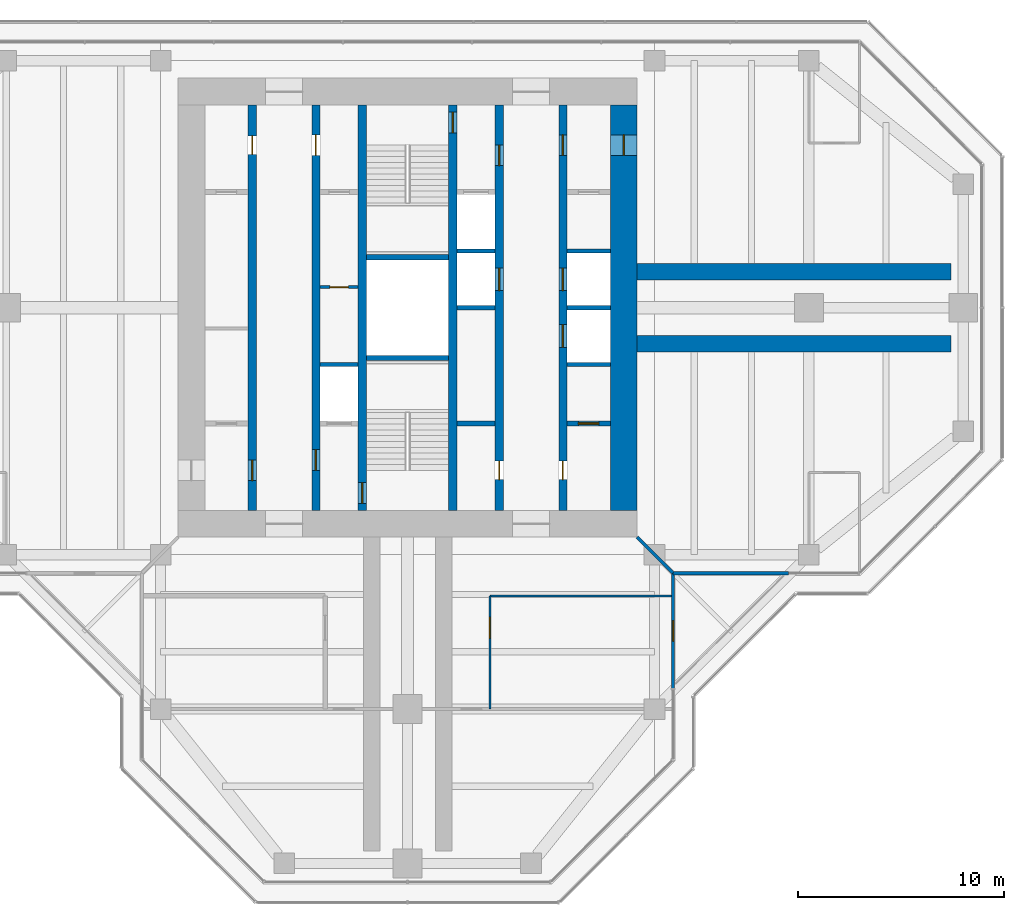
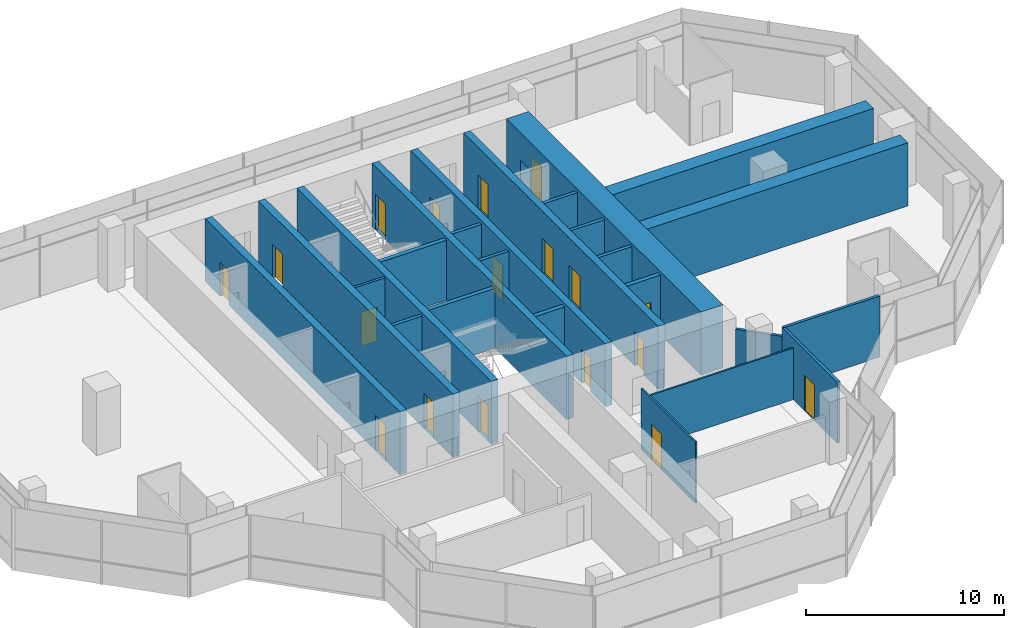
# One storey, part 12 of 15: 25 walls, 18 doors, 18 openings.
"""IFC4 building model written with IfcOpenShell, lengths in metres."""

from ifc_helpers import new_model, si_unit, direction, frame, frame_2d, origin, place, context, subcontext, project, spatial, rectangle, extrude, material, layer, layer_set, type_object, element, fill, save


model = new_model("IFC4")

# Units and contexts
model_context = context("Model", 3, precision=1e-05, world=origin(), true_north=direction((0.0, 1.0)))
body_context = subcontext(model_context, "Body", "Model", "MODEL_VIEW")
ifc_project = project(units=[si_unit("LENGTHUNIT", "METRE"), si_unit("AREAUNIT", "SQUARE_METRE"), si_unit("VOLUMEUNIT", "CUBIC_METRE"), si_unit("PLANEANGLEUNIT", "RADIAN"), si_unit("MASSUNIT", "GRAM", prefix="KILO")], contexts=[model_context])

# Site, building, storey
site_placement = place(None, origin())
site = spatial("IfcSite", under=ifc_project, at=site_placement, CompositionType="ELEMENT")
building_placement = place(site_placement, origin())
building = spatial("IfcBuilding", under=site, at=building_placement, Name="Mizan Broadcast Tower", CompositionType="ELEMENT")
storey_placement = place(building_placement, frame((0.0, 0.0, 282.89990234375)))
storey = spatial("IfcBuildingStorey", under=building, at=storey_placement, Name="L67", CompositionType="ELEMENT", Elevation=282.89990234375)

# Wall, openings, doors
ifc_material_1 = material(Name="Concrete C70/85", Category="concrete")
ifc_layer_1 = layer(ifc_material_1, 0.39990234375)
ifc_layer_set_1 = layer_set([ifc_layer_1], Name="Concrete C70/85")
wall_type_1 = type_object("IfcWallType", Name="CORE INTERNAL WALL 400", PredefinedType="SHEAR", material=ifc_layer_set_1)
wall_1_placement = place(storey_placement, frame((-7.550048828125, -9.85009765625, 0.0), z_axis=(0.0, 0.0, 1.0), x_axis=(0.0, 1.0, 0.0)))
wall_1 = element("IfcWall", 1, at=wall_1_placement, inside=storey, type_object=wall_type_1, Name="Core wall CORE/XW1", PredefinedType="SHEAR", context=body_context, shape_type="SweptSolid", body=[
    extrude(rectangle(XDim=19.7001953125, YDim=0.39990234375, at=frame_2d((9.85009765625, 0.0))), origin(), (0.0, 0.0, 1.0), 3.900146484375),
])
opening_1_placement = place(wall_1_placement, frame((1.449951171875, 0.0, 0.0)))
opening_1 = element("IfcOpeningElement", 2, at=opening_1_placement, cuts=wall_1, Name="Opening D10F", PredefinedType="OPENING", context=body_context, shape_type="SweptSolid", body=[
    extrude(rectangle(XDim=1.0, YDim=2.199951171875, at=frame_2d((0.5, 1.10009765625))), frame((0.0, 0.2099609375, 0.0), z_axis=(0.0, -1.0, 0.0), x_axis=(1.0, 0.0, 0.0)), (0.0, 0.0, 1.0), 0.419921875),
])
opening_2_placement = place(wall_1_placement, frame((17.300048828125, 0.0, 0.0)))
opening_2 = element("IfcOpeningElement", 3, at=opening_2_placement, cuts=wall_1, Name="Opening D09", PredefinedType="OPENING", context=body_context, shape_type="SweptSolid", body=[
    extrude(rectangle(XDim=0.89990234375, YDim=2.10009765625, at=frame_2d((0.449951171875, 1.050048828125))), frame((0.0, 0.2099609375, 0.0), z_axis=(0.0, -1.0, 0.0), x_axis=(1.0, 0.0, 0.0)), (0.0, 0.0, 1.0), 0.419921875),
])
ifc_material_2 = material(Name="Steel door leaf in steel frame", Category="steel")
door_type_1 = type_object("IfcDoorType", Name="FIRE DOOR 1000 FD90", OperationType="SINGLE_SWING_LEFT", PredefinedType="DOOR", material=ifc_material_2)
door_1_placement = place(opening_1_placement, origin())
door_1 = element("IfcDoor", 4, at=door_1_placement, inside=storey, type_object=door_type_1, Name="West core passage door", OperationType="SINGLE_SWING_LEFT", OverallHeight=2.199951171875, OverallWidth=1.0, PredefinedType="DOOR", context=body_context, shape_type="SweptSolid", body=[
    extrude(rectangle(XDim=1.0, YDim=2.199951171875, at=frame_2d((0.5, 1.10009765625))), frame((0.0, 0.02490234375, 0.0), z_axis=(0.0, -1.0, 0.0), x_axis=(1.0, 0.0, 0.0)), (0.0, 0.0, 1.0), 0.050048828125),
])
fill(opening_1, door_1)
ifc_material_3 = material(Name="Timber door leaf in aluminium frame", Category="wood")
door_type_2 = type_object("IfcDoorType", Name="TOILET DOOR 900", OperationType="SINGLE_SWING_LEFT", PredefinedType="DOOR", material=ifc_material_3)
door_2_placement = place(opening_2_placement, origin())
door_2 = element("IfcDoor", 5, at=door_2_placement, inside=storey, type_object=door_type_2, Name="Male WC door", OperationType="SINGLE_SWING_RIGHT", OverallHeight=2.10009765625, OverallWidth=0.89990234375, PredefinedType="DOOR", context=body_context, shape_type="SweptSolid", body=[
    extrude(rectangle(XDim=0.89990234375, YDim=2.10009765625, at=frame_2d((0.449951171875, 1.050048828125))), frame((0.0, 0.02490234375, 0.0), z_axis=(0.0, -1.0, 0.0), x_axis=(1.0, 0.0, 0.0)), (0.0, 0.0, 1.0), 0.050048828125),
])
fill(opening_2, door_2)

wall_2_placement = place(storey_placement, frame((7.550048828125, 9.85009765625, 0.0), z_axis=(0.0, 0.0, 1.0), x_axis=(0.0, -1.0, 0.0)))
wall_2 = element("IfcWall", 6, at=wall_2_placement, inside=storey, type_object=wall_type_1, Name="Core wall CORE/XW1E", PredefinedType="SHEAR", context=body_context, shape_type="SweptSolid", body=[
    extrude(rectangle(XDim=19.7001953125, YDim=0.39990234375, at=frame_2d((9.85009765625, 0.0))), origin(), (0.0, 0.0, 1.0), 3.900146484375),
])
opening_3_placement = place(wall_2_placement, frame((1.449951171875, 0.0, 0.0)))
opening_3 = element("IfcOpeningElement", 7, at=opening_3_placement, cuts=wall_2, Name="Opening D10F", PredefinedType="OPENING", context=body_context, shape_type="SweptSolid", body=[
    extrude(rectangle(XDim=1.0, YDim=2.199951171875, at=frame_2d((0.5, 1.10009765625))), frame((0.0, 0.2099609375, 0.0), z_axis=(0.0, -1.0, 0.0), x_axis=(1.0, 0.0, 0.0)), (0.0, 0.0, 1.0), 0.419921875),
])
opening_4_placement = place(wall_2_placement, frame((17.300048828125, 0.0, 0.0)))
opening_4 = element("IfcOpeningElement", 8, at=opening_4_placement, cuts=wall_2, Name="Opening D09", PredefinedType="OPENING", context=body_context, shape_type="SweptSolid", body=[
    extrude(rectangle(XDim=0.89990234375, YDim=2.10009765625, at=frame_2d((0.449951171875, 1.050048828125))), frame((0.0, 0.2099609375, 0.0), z_axis=(0.0, -1.0, 0.0), x_axis=(1.0, 0.0, 0.0)), (0.0, 0.0, 1.0), 0.419921875),
])
opening_5_placement = place(wall_2_placement, frame((7.925048828125, 0.0, 0.0)))
opening_5 = element("IfcOpeningElement", 9, at=opening_5_placement, cuts=wall_2, Name="Opening LD", PredefinedType="OPENING", context=body_context, shape_type="SweptSolid", body=[
    extrude(rectangle(XDim=1.10009765625, YDim=2.199951171875, at=frame_2d((0.550048828125, 1.10009765625))), frame((0.0, 0.2099609375, 0.0), z_axis=(0.0, -1.0, 0.0), x_axis=(1.0, 0.0, 0.0)), (0.0, 0.0, 1.0), 0.419921875),
])
opening_6_placement = place(wall_2_placement, frame((10.675048828125, 0.0, 0.0)))
opening_6 = element("IfcOpeningElement", 10, at=opening_6_placement, cuts=wall_2, Name="Opening LD", PredefinedType="OPENING", context=body_context, shape_type="SweptSolid", body=[
    extrude(rectangle(XDim=1.10009765625, YDim=2.199951171875, at=frame_2d((0.550048828125, 1.10009765625))), frame((0.0, 0.2099609375, 0.0), z_axis=(0.0, -1.0, 0.0), x_axis=(1.0, 0.0, 0.0)), (0.0, 0.0, 1.0), 0.419921875),
])
door_3_placement = place(opening_3_placement, origin())
door_3 = element("IfcDoor", 11, at=door_3_placement, inside=storey, type_object=door_type_1, Name="East core passage door", OperationType="SINGLE_SWING_LEFT", OverallHeight=2.199951171875, OverallWidth=1.0, PredefinedType="DOOR", context=body_context, shape_type="SweptSolid", body=[
    extrude(rectangle(XDim=1.0, YDim=2.199951171875, at=frame_2d((0.5, 1.10009765625))), frame((0.0, 0.02490234375, 0.0), z_axis=(0.0, -1.0, 0.0), x_axis=(1.0, 0.0, 0.0)), (0.0, 0.0, 1.0), 0.050048828125),
])
fill(opening_3, door_3)
ifc_material_4 = material(Name="Steel door leaf in steel frame", Category="steel")
door_type_3 = type_object("IfcDoorType", Name="LIFT LANDING DOOR 1100", OperationType="SLIDING_TO_LEFT", PredefinedType="DOOR", material=ifc_material_4)
door_4_placement = place(opening_5_placement, origin())
door_4 = element("IfcDoor", 12, at=door_4_placement, inside=storey, type_object=door_type_3, Name="Landing door LD1", OperationType="SLIDING_TO_LEFT", OverallHeight=2.199951171875, OverallWidth=1.10009765625, PredefinedType="DOOR", context=body_context, shape_type="SweptSolid", body=[
    extrude(rectangle(XDim=1.10009765625, YDim=2.199951171875, at=frame_2d((0.550048828125, 1.10009765625))), frame((0.0, 0.02490234375, 0.0), z_axis=(0.0, -1.0, 0.0), x_axis=(1.0, 0.0, 0.0)), (0.0, 0.0, 1.0), 0.050048828125),
])
fill(opening_5, door_4)
door_5_placement = place(opening_6_placement, origin())
door_5 = element("IfcDoor", 13, at=door_5_placement, inside=storey, type_object=door_type_3, Name="Landing door LD2", OperationType="SLIDING_TO_LEFT", OverallHeight=2.199951171875, OverallWidth=1.10009765625, PredefinedType="DOOR", context=body_context, shape_type="SweptSolid", body=[
    extrude(rectangle(XDim=1.10009765625, YDim=2.199951171875, at=frame_2d((0.550048828125, 1.10009765625))), frame((0.0, 0.02490234375, 0.0), z_axis=(0.0, -1.0, 0.0), x_axis=(1.0, 0.0, 0.0)), (0.0, 0.0, 1.0), 0.050048828125),
])
fill(opening_6, door_5)
door_6_placement = place(opening_4_placement, origin())
door_6 = element("IfcDoor", 14, at=door_6_placement, inside=storey, type_object=door_type_2, Name="Female WC door", OperationType="SINGLE_SWING_RIGHT", OverallHeight=2.10009765625, OverallWidth=0.89990234375, PredefinedType="DOOR", context=body_context, shape_type="SweptSolid", body=[
    extrude(rectangle(XDim=0.89990234375, YDim=2.10009765625, at=frame_2d((0.449951171875, 1.050048828125))), frame((0.0, 0.02490234375, 0.0), z_axis=(0.0, -1.0, 0.0), x_axis=(1.0, 0.0, 0.0)), (0.0, 0.0, 1.0), 0.050048828125),
])
fill(opening_4, door_6)

wall_3_placement = place(storey_placement, frame((-4.449951171875, -9.85009765625, 0.0), z_axis=(0.0, 0.0, 1.0), x_axis=(0.0, 1.0, 0.0)))
wall_3 = element("IfcWall", 15, at=wall_3_placement, inside=storey, type_object=wall_type_1, Name="Core wall CORE/XWH", PredefinedType="SHEAR", context=body_context, shape_type="SweptSolid", body=[
    extrude(rectangle(XDim=19.7001953125, YDim=0.39990234375, at=frame_2d((9.85009765625, 0.0))), origin(), (0.0, 0.0, 1.0), 3.900146484375),
])
opening_7_placement = place(wall_3_placement, frame((1.949951171875, 0.0, 0.0)))
opening_7 = element("IfcOpeningElement", 16, at=opening_7_placement, cuts=wall_3, Name="Opening D10F", PredefinedType="OPENING", context=body_context, shape_type="SweptSolid", body=[
    extrude(rectangle(XDim=1.0, YDim=2.199951171875, at=frame_2d((0.5, 1.10009765625))), frame((0.0, 0.2099609375, 0.0), z_axis=(0.0, -1.0, 0.0), x_axis=(1.0, 0.0, 0.0)), (0.0, 0.0, 1.0), 0.419921875),
])
opening_8_placement = place(wall_3_placement, frame((17.25, 0.0, 0.0)))
opening_8 = element("IfcOpeningElement", 17, at=opening_8_placement, cuts=wall_3, Name="Opening D10A", PredefinedType="OPENING", context=body_context, shape_type="SweptSolid", body=[
    extrude(rectangle(XDim=1.0, YDim=2.10009765625, at=frame_2d((0.5, 1.050048828125))), frame((0.0, 0.2099609375, 0.0), z_axis=(0.0, -1.0, 0.0), x_axis=(1.0, 0.0, 0.0)), (0.0, 0.0, 1.0), 0.419921875),
])
ifc_material_5 = material(Name="Timber door leaf in aluminium frame", Category="wood")
door_type_4 = type_object("IfcDoorType", Name="ACCESSIBLE WC DOOR 1000", OperationType="SLIDING_TO_LEFT", PredefinedType="DOOR", material=ifc_material_5)
door_7_placement = place(opening_8_placement, origin())
door_7 = element("IfcDoor", 18, at=door_7_placement, inside=storey, type_object=door_type_4, Name="Accessible WC door", OperationType="SLIDING_TO_LEFT", OverallHeight=2.10009765625, OverallWidth=1.0, PredefinedType="DOOR", context=body_context, shape_type="SweptSolid", body=[
    extrude(rectangle(XDim=1.0, YDim=2.10009765625, at=frame_2d((0.5, 1.050048828125))), frame((0.0, 0.02490234375, 0.0), z_axis=(0.0, -1.0, 0.0), x_axis=(1.0, 0.0, 0.0)), (0.0, 0.0, 1.0), 0.050048828125),
])
fill(opening_8, door_7)
door_8_placement = place(opening_7_placement, origin())
door_8 = element("IfcDoor", 19, at=door_8_placement, inside=storey, type_object=door_type_1, Name="Firefighting lobby A door", OperationType="SINGLE_SWING_LEFT", OverallHeight=2.199951171875, OverallWidth=1.0, PredefinedType="DOOR", context=body_context, shape_type="SweptSolid", body=[
    extrude(rectangle(XDim=1.0, YDim=2.199951171875, at=frame_2d((0.5, 1.10009765625))), frame((0.0, 0.02490234375, 0.0), z_axis=(0.0, -1.0, 0.0), x_axis=(1.0, 0.0, 0.0)), (0.0, 0.0, 1.0), 0.050048828125),
])
fill(opening_7, door_8)

wall_4_placement = place(storey_placement, frame((4.449951171875, 9.85009765625, 0.0), z_axis=(0.0, 0.0, 1.0), x_axis=(0.0, -1.0, 0.0)))
wall_4 = element("IfcWall", 20, at=wall_4_placement, inside=storey, type_object=wall_type_1, Name="Core wall CORE/XWHE", PredefinedType="SHEAR", context=body_context, shape_type="SweptSolid", body=[
    extrude(rectangle(XDim=19.7001953125, YDim=0.39990234375, at=frame_2d((9.85009765625, 0.0))), origin(), (0.0, 0.0, 1.0), 3.900146484375),
])
opening_9_placement = place(wall_4_placement, frame((1.949951171875, 0.0, 0.0)))
opening_9 = element("IfcOpeningElement", 21, at=opening_9_placement, cuts=wall_4, Name="Opening D10F", PredefinedType="OPENING", context=body_context, shape_type="SweptSolid", body=[
    extrude(rectangle(XDim=1.0, YDim=2.199951171875, at=frame_2d((0.5, 1.10009765625))), frame((0.0, 0.2099609375, 0.0), z_axis=(0.0, -1.0, 0.0), x_axis=(1.0, 0.0, 0.0)), (0.0, 0.0, 1.0), 0.419921875),
])
opening_10_placement = place(wall_4_placement, frame((17.300048828125, 0.0, 0.0)))
opening_10 = element("IfcOpeningElement", 22, at=opening_10_placement, cuts=wall_4, Name="Opening D09", PredefinedType="OPENING", context=body_context, shape_type="SweptSolid", body=[
    extrude(rectangle(XDim=0.89990234375, YDim=2.10009765625, at=frame_2d((0.449951171875, 1.050048828125))), frame((0.0, 0.2099609375, 0.0), z_axis=(0.0, -1.0, 0.0), x_axis=(1.0, 0.0, 0.0)), (0.0, 0.0, 1.0), 0.419921875),
])
opening_11_placement = place(wall_4_placement, frame((7.925048828125, 0.0, 0.0)))
opening_11 = element("IfcOpeningElement", 23, at=opening_11_placement, cuts=wall_4, Name="Opening LD", PredefinedType="OPENING", context=body_context, shape_type="SweptSolid", body=[
    extrude(rectangle(XDim=1.10009765625, YDim=2.199951171875, at=frame_2d((0.550048828125, 1.10009765625))), frame((0.0, 0.2099609375, 0.0), z_axis=(0.0, -1.0, 0.0), x_axis=(1.0, 0.0, 0.0)), (0.0, 0.0, 1.0), 0.419921875),
])
door_9_placement = place(opening_9_placement, origin())
door_9 = element("IfcDoor", 24, at=door_9_placement, inside=storey, type_object=door_type_1, Name="Firefighting lobby B door", OperationType="SINGLE_SWING_LEFT", OverallHeight=2.199951171875, OverallWidth=1.0, PredefinedType="DOOR", context=body_context, shape_type="SweptSolid", body=[
    extrude(rectangle(XDim=1.0, YDim=2.199951171875, at=frame_2d((0.5, 1.10009765625))), frame((0.0, 0.02490234375, 0.0), z_axis=(0.0, -1.0, 0.0), x_axis=(1.0, 0.0, 0.0)), (0.0, 0.0, 1.0), 0.050048828125),
])
fill(opening_9, door_9)
door_10_placement = place(opening_11_placement, origin())
door_10 = element("IfcDoor", 25, at=door_10_placement, inside=storey, type_object=door_type_3, Name="Landing door LD3", OperationType="SLIDING_TO_LEFT", OverallHeight=2.199951171875, OverallWidth=1.10009765625, PredefinedType="DOOR", context=body_context, shape_type="SweptSolid", body=[
    extrude(rectangle(XDim=1.10009765625, YDim=2.199951171875, at=frame_2d((0.550048828125, 1.10009765625))), frame((0.0, 0.02490234375, 0.0), z_axis=(0.0, -1.0, 0.0), x_axis=(1.0, 0.0, 0.0)), (0.0, 0.0, 1.0), 0.050048828125),
])
fill(opening_11, door_10)
door_11_placement = place(opening_10_placement, origin())
door_11 = element("IfcDoor", 26, at=door_11_placement, inside=storey, type_object=door_type_2, Name="Cleaner's store door", OperationType="SINGLE_SWING_RIGHT", OverallHeight=2.10009765625, OverallWidth=0.89990234375, PredefinedType="DOOR", context=body_context, shape_type="SweptSolid", body=[
    extrude(rectangle(XDim=0.89990234375, YDim=2.10009765625, at=frame_2d((0.449951171875, 1.050048828125))), frame((0.0, 0.02490234375, 0.0), z_axis=(0.0, -1.0, 0.0), x_axis=(1.0, 0.0, 0.0)), (0.0, 0.0, 1.0), 0.050048828125),
])
fill(opening_10, door_11)

# Wall, opening, door
wall_5_placement = place(storey_placement, frame((-2.199951171875, -9.85009765625, 0.0), z_axis=(0.0, 0.0, 1.0), x_axis=(0.0, 1.0, 0.0)))
wall_5 = element("IfcWall", 27, at=wall_5_placement, inside=storey, type_object=wall_type_1, Name="Core wall CORE/XW2", PredefinedType="SHEAR", context=body_context, shape_type="SweptSolid", body=[
    extrude(rectangle(XDim=19.7001953125, YDim=0.39990234375, at=frame_2d((9.85009765625, 0.0))), origin(), (0.0, 0.0, 1.0), 3.900146484375),
])
opening_12_placement = place(wall_5_placement, frame((0.35009765625, 0.0, 0.0)))
opening_12 = element("IfcOpeningElement", 28, at=opening_12_placement, cuts=wall_5, Name="Opening D10S", PredefinedType="OPENING", context=body_context, shape_type="SweptSolid", body=[
    extrude(rectangle(XDim=1.0, YDim=2.199951171875, at=frame_2d((0.5, 1.10009765625))), frame((0.0, 0.2099609375, 0.0), z_axis=(0.0, -1.0, 0.0), x_axis=(1.0, 0.0, 0.0)), (0.0, 0.0, 1.0), 0.419921875),
])
ifc_material_6 = material(Name="Steel door leaf in steel frame", Category="steel")
door_type_5 = type_object("IfcDoorType", Name="STAIR DOOR 1000 FD90S", OperationType="SINGLE_SWING_RIGHT", PredefinedType="DOOR", material=ifc_material_6)
door_12_placement = place(opening_12_placement, origin())
door_12 = element("IfcDoor", 29, at=door_12_placement, inside=storey, type_object=door_type_5, Name="Stair A door", OperationType="SINGLE_SWING_RIGHT", OverallHeight=2.199951171875, OverallWidth=1.0, PredefinedType="DOOR", context=body_context, shape_type="SweptSolid", body=[
    extrude(rectangle(XDim=1.0, YDim=2.199951171875, at=frame_2d((0.5, 1.10009765625))), frame((0.0, 0.02490234375, 0.0), z_axis=(0.0, -1.0, 0.0), x_axis=(1.0, 0.0, 0.0)), (0.0, 0.0, 1.0), 0.050048828125),
])
fill(opening_12, door_12)

wall_6_placement = place(storey_placement, frame((2.199951171875, 9.85009765625, 0.0), z_axis=(0.0, 0.0, 1.0), x_axis=(0.0, -1.0, 0.0)))
wall_6 = element("IfcWall", 30, at=wall_6_placement, inside=storey, type_object=wall_type_1, Name="Core wall CORE/XW2E", PredefinedType="SHEAR", context=body_context, shape_type="SweptSolid", body=[
    extrude(rectangle(XDim=19.7001953125, YDim=0.39990234375, at=frame_2d((9.85009765625, 0.0))), origin(), (0.0, 0.0, 1.0), 3.900146484375),
])
opening_13_placement = place(wall_6_placement, frame((0.35009765625, 0.0, 0.0)))
opening_13 = element("IfcOpeningElement", 31, at=opening_13_placement, cuts=wall_6, Name="Opening D10S", PredefinedType="OPENING", context=body_context, shape_type="SweptSolid", body=[
    extrude(rectangle(XDim=1.0, YDim=2.199951171875, at=frame_2d((0.5, 1.10009765625))), frame((0.0, 0.2099609375, 0.0), z_axis=(0.0, -1.0, 0.0), x_axis=(1.0, 0.0, 0.0)), (0.0, 0.0, 1.0), 0.419921875),
])
door_13_placement = place(opening_13_placement, origin())
door_13 = element("IfcDoor", 32, at=door_13_placement, inside=storey, type_object=door_type_5, Name="Stair B door", OperationType="SINGLE_SWING_RIGHT", OverallHeight=2.199951171875, OverallWidth=1.0, PredefinedType="DOOR", context=body_context, shape_type="SweptSolid", body=[
    extrude(rectangle(XDim=1.0, YDim=2.199951171875, at=frame_2d((0.5, 1.10009765625))), frame((0.0, 0.02490234375, 0.0), z_axis=(0.0, -1.0, 0.0), x_axis=(1.0, 0.0, 0.0)), (0.0, 0.0, 1.0), 0.050048828125),
])
fill(opening_13, door_13)

ifc_material_7 = material(Name="Concrete blockwork", Category="masonry")
ifc_layer_2 = layer(ifc_material_7, 0.14990234375)
ifc_layer_set_2 = layer_set([ifc_layer_2], Name="Concrete blockwork")
wall_type_2 = type_object("IfcWallType", Name="CORE PARTITION 150", PredefinedType="SOLIDWALL", material=ifc_layer_set_2)
wall_7_placement = place(storey_placement, frame((-4.25, 1.0, 0.0), z_axis=(0.0, 0.0, 1.0), x_axis=(1.0, 0.0, 0.0)))
wall_7 = element("IfcWall", 33, at=wall_7_placement, inside=storey, type_object=wall_type_2, Name="Core partition CORE/XP2", PredefinedType="SOLIDWALL", context=body_context, shape_type="SweptSolid", body=[
    extrude(rectangle(XDim=1.85009765625, YDim=0.14990234375, at=frame_2d((0.925048828125, 0.0))), origin(), (0.0, 0.0, 1.0), 3.77001953125),
])
opening_14_placement = place(wall_7_placement, frame((0.47509765625, 0.0, 0.0)))
opening_14 = element("IfcOpeningElement", 34, at=opening_14_placement, cuts=wall_7, Name="Opening D09F", PredefinedType="OPENING", context=body_context, shape_type="SweptSolid", body=[
    extrude(rectangle(XDim=0.89990234375, YDim=2.10009765625, at=frame_2d((0.449951171875, 1.050048828125))), frame((0.0, 0.0849609375, 0.0), z_axis=(0.0, -1.0, 0.0), x_axis=(1.0, 0.0, 0.0)), (0.0, 0.0, 1.0), 0.169921875),
])
ifc_material_8 = material(Name="Steel door leaf in steel frame", Category="steel")
door_type_6 = type_object("IfcDoorType", Name="CORE ROOM DOOR 900 FD90", OperationType="SINGLE_SWING_LEFT", PredefinedType="DOOR", material=ifc_material_8)
door_14_placement = place(opening_14_placement, origin())
door_14 = element("IfcDoor", 35, at=door_14_placement, inside=storey, type_object=door_type_6, Name="Accessible changing room door", OperationType="SINGLE_SWING_RIGHT", OverallHeight=2.10009765625, OverallWidth=0.89990234375, PredefinedType="DOOR", context=body_context, shape_type="SweptSolid", body=[
    extrude(rectangle(XDim=0.89990234375, YDim=2.10009765625, at=frame_2d((0.449951171875, 1.050048828125))), frame((0.0, 0.02490234375, 0.0), z_axis=(0.0, -1.0, 0.0), x_axis=(1.0, 0.0, 0.0)), (0.0, 0.0, 1.0), 0.050048828125),
])
fill(opening_14, door_14)

ifc_material_9 = material(Name="Concrete C70/85", Category="concrete")
ifc_layer_3 = layer(ifc_material_9, 1.300048828125)
ifc_layer_set_3 = layer_set([ifc_layer_3], Name="Concrete C70/85")
wall_type_3 = type_object("IfcWallType", Name="CORE WALL 1300", PredefinedType="SHEAR", material=ifc_layer_set_3)
wall_8_placement = place(storey_placement, frame((10.5, -9.85009765625, 0.0), z_axis=(0.0, 0.0, 1.0), x_axis=(0.0, 1.0, 0.0)))
wall_8 = element("IfcWall", 36, at=wall_8_placement, inside=storey, type_object=wall_type_3, Name="Core wall E L67", PredefinedType="SHEAR", context=body_context, shape_type="SweptSolid", body=[
    extrude(rectangle(XDim=19.7001953125, YDim=1.300048828125, at=frame_2d((9.85009765625, 0.0))), origin(), (0.0, 0.0, 1.0), 3.900146484375),
])
opening_15_placement = place(wall_8_placement, frame((17.25, 0.0, 0.0)))
opening_15 = element("IfcOpeningElement", 37, at=opening_15_placement, cuts=wall_8, Name="Opening D10F", PredefinedType="OPENING", context=body_context, shape_type="SweptSolid", body=[
    extrude(rectangle(XDim=1.0, YDim=2.199951171875, at=frame_2d((0.5, 1.10009765625))), frame((0.0, 0.659912109375, 0.0), z_axis=(0.0, -1.0, 0.0), x_axis=(1.0, 0.0, 0.0)), (0.0, 0.0, 1.0), 1.320068359375),
])
door_15_placement = place(opening_15_placement, origin())
door_15 = element("IfcDoor", 38, at=door_15_placement, inside=storey, type_object=door_type_1, Name="East core passage arm door", OperationType="SINGLE_SWING_RIGHT", OverallHeight=2.199951171875, OverallWidth=1.0, PredefinedType="DOOR", context=body_context, shape_type="SweptSolid", body=[
    extrude(rectangle(XDim=1.0, YDim=2.199951171875, at=frame_2d((0.5, 1.10009765625))), frame((0.0, 0.02490234375, 0.0), z_axis=(0.0, -1.0, 0.0), x_axis=(1.0, 0.0, 0.0)), (0.0, 0.0, 1.0), 0.050048828125),
])
fill(opening_15, door_15)

# Wall
ifc_material_10 = material(Name="Aluminium framed glazed screen", Category="aluminium")
ifc_layer_4 = layer(ifc_material_10, 0.159912109375)
ifc_layer_set_4 = layer_set([ifc_layer_4], Name="Aluminium framed glazed screen")
wall_type_4 = type_object("IfcWallType", Name="GLAZED SCREEN WALL 160", PredefinedType="SOLIDWALL", material=ifc_layer_set_4)
wall_9_placement = place(storey_placement, frame((12.89990234375, -12.89990234375, 0.0), z_axis=(0.0, 0.0, 1.0), x_axis=(1.0, 0.0, 0.0)))
element("IfcWall", 39, at=wall_9_placement, inside=storey, type_object=wall_type_4, Name="Winter garden screen L67 E", PredefinedType="SOLIDWALL", context=body_context, shape_type="SweptSolid", body=[
    extrude(rectangle(XDim=5.60009765625, YDim=0.159912109375, at=frame_2d((2.800048828125, 0.0))), origin(), (0.0, 0.0, 1.0), 3.77001953125),
])

# Wall, opening, door
wall_10_placement = place(storey_placement, frame((12.89990234375, -18.5, 0.0), z_axis=(0.0, 0.0, 1.0), x_axis=(0.0, 1.0, 0.0)))
wall_10 = element("IfcWall", 40, at=wall_10_placement, inside=storey, type_object=wall_type_4, Name="Winter garden screen L67 S", PredefinedType="SOLIDWALL", context=body_context, shape_type="SweptSolid", body=[
    extrude(rectangle(XDim=5.60009765625, YDim=0.159912109375, at=frame_2d((2.800048828125, 0.0))), origin(), (0.0, 0.0, 1.0), 3.77001953125),
])
opening_16_placement = place(wall_10_placement, frame((2.300048828125, 0.0, 0.0)))
opening_16 = element("IfcOpeningElement", 41, at=opening_16_placement, cuts=wall_10, Name="Opening WGD", PredefinedType="OPENING", context=body_context, shape_type="SweptSolid", body=[
    extrude(rectangle(XDim=1.0, YDim=2.199951171875, at=frame_2d((0.5, 1.10009765625))), frame((0.0, 0.08984375, 0.0), z_axis=(0.0, -1.0, 0.0), x_axis=(1.0, 0.0, 0.0)), (0.0, 0.0, 1.0), 0.179931640625),
])
ifc_material_11 = material(Name="Aluminium framed glazed door", Category="aluminium")
door_type_7 = type_object("IfcDoorType", Name="WINTER GARDEN DOOR 1000 GLAZED", OperationType="SINGLE_SWING_LEFT", PredefinedType="DOOR", material=ifc_material_11)
door_16_placement = place(opening_16_placement, origin())
door_16 = element("IfcDoor", 42, at=door_16_placement, inside=storey, type_object=door_type_7, Name="Winter garden door L67 S", OperationType="SINGLE_SWING_RIGHT", OverallHeight=2.199951171875, OverallWidth=1.0, PredefinedType="DOOR", context=body_context, shape_type="SweptSolid", body=[
    extrude(rectangle(XDim=1.0, YDim=2.199951171875, at=frame_2d((0.5, 1.10009765625))), frame((0.0, 0.02490234375, 0.0), z_axis=(0.0, -1.0, 0.0), x_axis=(1.0, 0.0, 0.0)), (0.0, 0.0, 1.0), 0.050048828125),
])
fill(opening_16, door_16)

# Walls
ifc_material_12 = material(Name="Concrete blockwork", Category="masonry")
ifc_layer_5 = layer(ifc_material_12, 0.199951171875)
ifc_layer_set_5 = layer_set([ifc_layer_5], Name="Concrete blockwork")
wall_type_5 = type_object("IfcWallType", Name="LIFT SHAFT WALL 200", PredefinedType="SOLIDWALL", material=ifc_layer_set_5)
wall_11_placement = place(storey_placement, frame((-4.25, -2.75, 0.0), z_axis=(0.0, 0.0, 1.0), x_axis=(1.0, 0.0, 0.0)))
element("IfcWall", 43, at=wall_11_placement, inside=storey, type_object=wall_type_5, Name="Lift shaft wall CORE/SW2-1", PredefinedType="SOLIDWALL", context=body_context, shape_type="SweptSolid", body=[
    extrude(rectangle(XDim=1.85009765625, YDim=0.199951171875, at=frame_2d((0.925048828125, 0.0))), origin(), (0.0, 0.0, 1.0), 3.7001953125),
])
wall_12_placement = place(storey_placement, frame((7.75, -2.75, 0.0), z_axis=(0.0, 0.0, 1.0), x_axis=(1.0, 0.0, 0.0)))
element("IfcWall", 44, at=wall_12_placement, inside=storey, type_object=wall_type_5, Name="Lift shaft wall CORE/SE1-1", PredefinedType="SOLIDWALL", context=body_context, shape_type="SweptSolid", body=[
    extrude(rectangle(XDim=2.10009765625, YDim=0.199951171875, at=frame_2d((1.050048828125, 0.0))), origin(), (0.0, 0.0, 1.0), 3.7001953125),
])
wall_13_placement = place(storey_placement, frame((2.39990234375, 0.0, 0.0), z_axis=(0.0, 0.0, 1.0), x_axis=(1.0, 0.0, 0.0)))
element("IfcWall", 45, at=wall_13_placement, inside=storey, type_object=wall_type_5, Name="Lift shaft wall CORE/SE2-2", PredefinedType="SOLIDWALL", context=body_context, shape_type="SweptSolid", body=[
    extrude(rectangle(XDim=1.85009765625, YDim=0.199951171875, at=frame_2d((0.925048828125, 0.0))), origin(), (0.0, 0.0, 1.0), 3.7001953125),
])
wall_14_placement = place(storey_placement, frame((7.75, 0.0, 0.0), z_axis=(0.0, 0.0, 1.0), x_axis=(1.0, 0.0, 0.0)))
element("IfcWall", 46, at=wall_14_placement, inside=storey, type_object=wall_type_5, Name="Lift shaft wall CORE/SE1-2", PredefinedType="SOLIDWALL", context=body_context, shape_type="SweptSolid", body=[
    extrude(rectangle(XDim=2.10009765625, YDim=0.199951171875, at=frame_2d((1.050048828125, 0.0))), origin(), (0.0, 0.0, 1.0), 3.7001953125),
])
wall_15_placement = place(storey_placement, frame((2.39990234375, 2.75, 0.0), z_axis=(0.0, 0.0, 1.0), x_axis=(1.0, 0.0, 0.0)))
element("IfcWall", 47, at=wall_15_placement, inside=storey, type_object=wall_type_5, Name="Lift shaft wall CORE/SE2-3", PredefinedType="SOLIDWALL", context=body_context, shape_type="SweptSolid", body=[
    extrude(rectangle(XDim=1.85009765625, YDim=0.199951171875, at=frame_2d((0.925048828125, 0.0))), origin(), (0.0, 0.0, 1.0), 3.7001953125),
])
wall_16_placement = place(storey_placement, frame((7.75, 2.75, 0.0), z_axis=(0.0, 0.0, 1.0), x_axis=(1.0, 0.0, 0.0)))
element("IfcWall", 48, at=wall_16_placement, inside=storey, type_object=wall_type_5, Name="Lift shaft wall CORE/SE1-3", PredefinedType="SOLIDWALL", context=body_context, shape_type="SweptSolid", body=[
    extrude(rectangle(XDim=2.10009765625, YDim=0.199951171875, at=frame_2d((1.050048828125, 0.0))), origin(), (0.0, 0.0, 1.0), 3.7001953125),
])
ifc_material_13 = material(Name="Concrete blockwork", Category="masonry")
ifc_layer_6 = layer(ifc_material_13, 0.25)
ifc_layer_set_6 = layer_set([ifc_layer_6], Name="Concrete blockwork")
wall_type_6 = type_object("IfcWallType", Name="LOBBY ENCLOSURE WALL 250", PredefinedType="SOLIDWALL", material=ifc_layer_set_6)
wall_17_placement = place(storey_placement, frame((2.39990234375, -5.625, 0.0), z_axis=(0.0, 0.0, 1.0), x_axis=(1.0, 0.0, 0.0)))
element("IfcWall", 49, at=wall_17_placement, inside=storey, type_object=wall_type_6, Name="Lobby enclosure wall CORE/BE2S", PredefinedType="SOLIDWALL", context=body_context, shape_type="SweptSolid", body=[
    extrude(rectangle(XDim=1.85009765625, YDim=0.25, at=frame_2d((0.925048828125, 0.0))), origin(), (0.0, 0.0, 1.0), 3.7001953125),
])

# Wall, opening, door
wall_18_placement = place(storey_placement, frame((7.75, -5.625, 0.0), z_axis=(0.0, 0.0, 1.0), x_axis=(1.0, 0.0, 0.0)))
wall_18 = element("IfcWall", 50, at=wall_18_placement, inside=storey, type_object=wall_type_6, Name="Lobby enclosure wall CORE/BE1S", PredefinedType="SOLIDWALL", context=body_context, shape_type="SweptSolid", body=[
    extrude(rectangle(XDim=2.10009765625, YDim=0.25, at=frame_2d((1.050048828125, 0.0))), origin(), (0.0, 0.0, 1.0), 3.7001953125),
])
opening_17_placement = place(wall_18_placement, frame((0.550048828125, 0.0, 0.0)))
opening_17 = element("IfcOpeningElement", 51, at=opening_17_placement, cuts=wall_18, Name="Opening D10F", PredefinedType="OPENING", context=body_context, shape_type="SweptSolid", body=[
    extrude(rectangle(XDim=1.0, YDim=2.199951171875, at=frame_2d((0.5, 1.10009765625))), frame((0.0, 0.135009765625, 0.0), z_axis=(0.0, -1.0, 0.0), x_axis=(1.0, 0.0, 0.0)), (0.0, 0.0, 1.0), 0.27001953125),
])
door_17_placement = place(opening_17_placement, origin())
door_17 = element("IfcDoor", 52, at=door_17_placement, inside=storey, type_object=door_type_1, Name="Staff changing room door", OperationType="SINGLE_SWING_LEFT", OverallHeight=2.199951171875, OverallWidth=1.0, PredefinedType="DOOR", context=body_context, shape_type="SweptSolid", body=[
    extrude(rectangle(XDim=1.0, YDim=2.199951171875, at=frame_2d((0.5, 1.10009765625))), frame((0.0, 0.02490234375, 0.0), z_axis=(0.0, -1.0, 0.0), x_axis=(1.0, 0.0, 0.0)), (0.0, 0.0, 1.0), 0.050048828125),
])
fill(opening_17, door_17)

# Walls
for number, where, z_axis, x_axis, name in (
    (53, (-2.0, -2.449951171875, 0.0), (0.0, 0.0, 1.0), (1.0, 0.0, 0.0), "Lobby enclosure wall CORE/STA"),
    (54, (-2.0, 2.449951171875, 0.0), (0.0, 0.0, 1.0), (1.0, 0.0, 0.0), "Lobby enclosure wall CORE/STB"),
):
    element("IfcWall", number, at=place(storey_placement, frame(where, z_axis=z_axis, x_axis=x_axis)), inside=storey, type_object=wall_type_6, Name=name, PredefinedType="SOLIDWALL", context=body_context, shape_type="SweptSolid", body=[
        extrude(rectangle(XDim=4.0, YDim=0.25, at=frame_2d((2.0, 0.0))), origin(), (0.0, 0.0, 1.0), 3.7001953125),
    ])
ifc_material_14 = material(Name="Gypsum board on steel studs", Category="steel")
ifc_layer_7 = layer(ifc_material_14, 0.14990234375)
ifc_layer_set_7 = layer_set([ifc_layer_7], Name="Gypsum board on steel studs")
wall_type_7 = type_object("IfcWallType", Name="PARTITION 150", PredefinedType="PARTITIONING", material=ifc_layer_set_7)
wall_19_placement = place(storey_placement, frame((11.14990234375, -11.14990234375, 0.0), z_axis=(0.0, 0.0, 1.0), x_axis=(0.707106781187, -0.707106781187, 0.0)))
element("IfcWall", 55, at=wall_19_placement, inside=storey, type_object=wall_type_7, Name="Partition PT/DGES", PredefinedType="PARTITIONING", context=body_context, shape_type="SweptSolid", body=[
    extrude(rectangle(XDim=2.460693359375, YDim=0.14990234375, at=frame_2d((1.23046875, 0.0))), origin(), (0.0, 0.0, 1.0), 3.22021484375),
])

# Wall, opening, door
ifc_material_15 = material(Name="Glazed aluminium partition on aluminium track", Category="aluminium")
ifc_layer_8 = layer(ifc_material_15, 0.10009765625)
ifc_layer_set_8 = layer_set([ifc_layer_8], Name="Glazed aluminium partition on aluminium track")
wall_type_8 = type_object("IfcWallType", Name="PARTITION GLAZED OFFICE FRONT 100", PredefinedType="PARTITIONING", material=ifc_layer_set_8)
wall_20_placement = place(storey_placement, frame((4.0, -14.0, 0.0), z_axis=(0.0, 0.0, 1.0), x_axis=(0.0, -1.0, 0.0)))
wall_20 = element("IfcWall", 56, at=wall_20_placement, inside=storey, type_object=wall_type_8, Name="Glazed office front PT/SCP0", PredefinedType="PARTITIONING", context=body_context, shape_type="SweptSolid", body=[
    extrude(rectangle(XDim=5.5, YDim=0.10009765625, at=frame_2d((2.75, 0.0))), origin(), (0.0, 0.0, 1.0), 3.77001953125),
])
opening_18_placement = place(wall_20_placement, frame((1.050048828125, 0.0, 0.0)))
opening_18 = element("IfcOpeningElement", 57, at=opening_18_placement, cuts=wall_20, Name="Opening D10O", PredefinedType="OPENING", context=body_context, shape_type="SweptSolid", body=[
    extrude(rectangle(XDim=1.0, YDim=2.199951171875, at=frame_2d((0.5, 1.10009765625))), frame((0.0, 0.06005859375, 0.0), z_axis=(0.0, -1.0, 0.0), x_axis=(1.0, 0.0, 0.0)), (0.0, 0.0, 1.0), 0.1201171875),
])
ifc_material_16 = material(Name="Timber door leaf in aluminium frame", Category="wood")
door_type_8 = type_object("IfcDoorType", Name="OFFICE DOOR 1000 GLAZED", OperationType="SINGLE_SWING_LEFT", PredefinedType="DOOR", material=ifc_material_16)
door_18_placement = place(opening_18_placement, origin())
door_18 = element("IfcDoor", 58, at=door_18_placement, inside=storey, type_object=door_type_8, Name="Director's office door", OperationType="SINGLE_SWING_LEFT", OverallHeight=2.199951171875, OverallWidth=1.0, PredefinedType="DOOR", context=body_context, shape_type="SweptSolid", body=[
    extrude(rectangle(XDim=1.0, YDim=2.199951171875, at=frame_2d((0.5, 1.10009765625))), frame((0.0, 0.02490234375, 0.0), z_axis=(0.0, -1.0, 0.0), x_axis=(1.0, 0.0, 0.0)), (0.0, 0.0, 1.0), 0.050048828125),
])
fill(opening_18, door_18)

# Walls
wall_21_placement = place(storey_placement, frame((4.0, -14.0, 0.0), z_axis=(0.0, 0.0, 1.0), x_axis=(1.0, 0.0, 0.0)))
element("IfcWall", 59, at=wall_21_placement, inside=storey, type_object=wall_type_8, Name="Glazed office front PT/SQP1400", PredefinedType="PARTITIONING", context=body_context, shape_type="SweptSolid", body=[
    extrude(rectangle(XDim=8.820068359375, YDim=0.10009765625, at=frame_2d((4.41015625, 0.0))), origin(), (0.0, 0.0, 1.0), 3.18017578125),
])
ifc_material_17 = material(Name="Concrete C70/85", Category="concrete")
ifc_layer_9 = layer(ifc_material_17, 0.800048828125)
ifc_layer_set_9 = layer_set([ifc_layer_9], Name="Concrete C70/85")
wall_type_9 = type_object("IfcWallType", Name="SPINE WALL 800", PredefinedType="SHEAR", material=ifc_layer_set_9)
for number, where, z_axis, x_axis, name in (
    (60, (11.14990234375, -1.75, 0.0), (0.0, 0.0, 1.0), (1.0, 0.0, 0.0), "Spine wall ER L67"),
    (61, (11.14990234375, 1.75, 0.0), (0.0, 0.0, 1.0), (1.0, 0.0, 0.0), "Spine wall EL L67"),
):
    element("IfcWall", number, at=place(storey_placement, frame(where, z_axis=z_axis, x_axis=x_axis)), inside=storey, type_object=wall_type_9, Name=name, PredefinedType="SHEAR", context=body_context, shape_type="SweptSolid", body=[
        extrude(rectangle(XDim=15.25, YDim=0.800048828125, at=frame_2d((7.625, 0.0))), origin(), (0.0, 0.0, 1.0), 3.900146484375),
    ])

save(model, "model.ifc")
